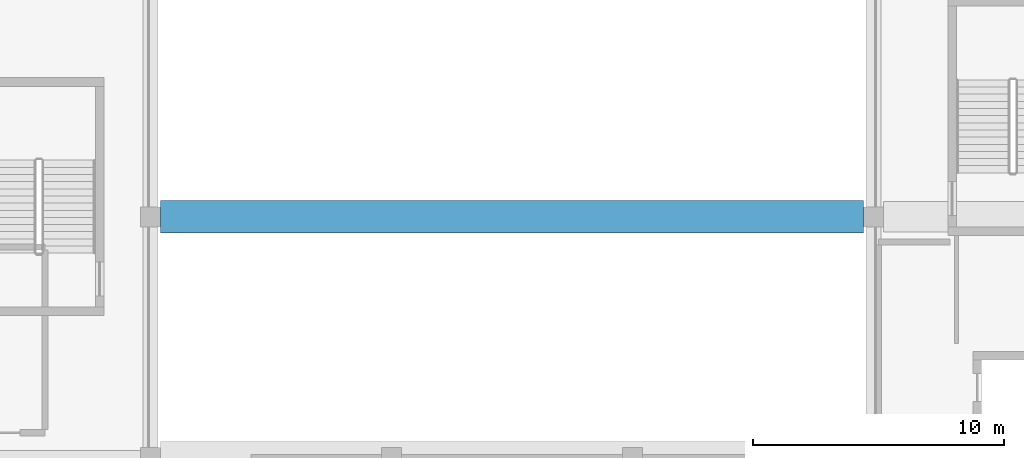
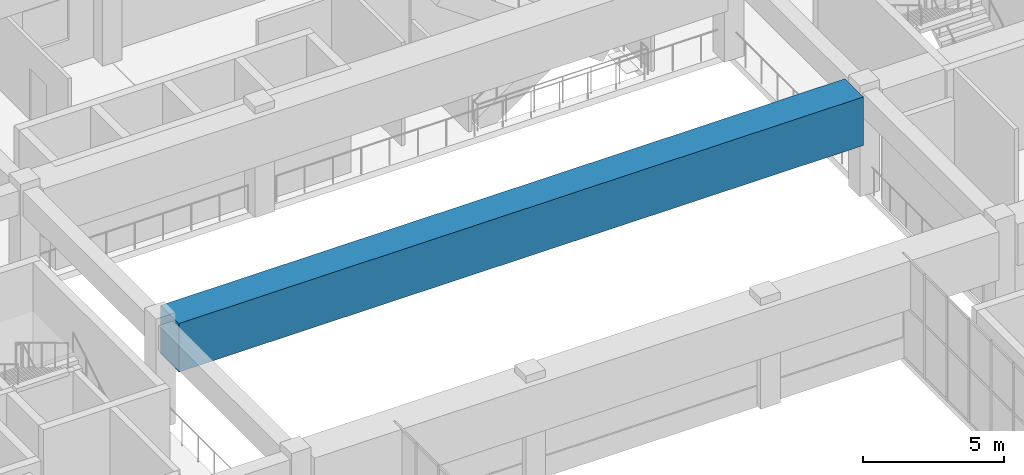
# One storey, part 6 of 33: 1 beam.
"""IFC4 building model written with IfcOpenShell, lengths in metres."""

from ifc_helpers import new_model, si_unit, direction, frame, origin, origin_2d, place, context, subcontext, project, spatial, rectangle, extrude, material, material_profile, profile_set, type_object, element, save


model = new_model("IFC4")

# Units and contexts
model_context = context("Model", 3, precision=1e-05, world=origin(), true_north=direction((0.0, 1.0)))
body_context = subcontext(model_context, "Body", "Model", "MODEL_VIEW")
ifc_project = project(units=[si_unit("LENGTHUNIT", "METRE"), si_unit("AREAUNIT", "SQUARE_METRE"), si_unit("VOLUMEUNIT", "CUBIC_METRE"), si_unit("PLANEANGLEUNIT", "RADIAN"), si_unit("MASSUNIT", "GRAM", prefix="KILO")], contexts=[model_context])

# Site, building, storey
site_placement = place(None, origin())
site = spatial("IfcSite", under=ifc_project, at=site_placement, CompositionType="ELEMENT")
building_placement = place(site_placement, origin())
building = spatial("IfcBuilding", under=site, at=building_placement, Name="Cendralis Terraced Arcade", CompositionType="ELEMENT")
storey_placement = place(building_placement, frame((0.0, 0.0, 19.800048828125)))
storey = spatial("IfcBuildingStorey", under=building, at=storey_placement, Name="L04", CompositionType="ELEMENT", Elevation=19.800048828125)

# Beam
ifc_material = material(Name="Concrete f'c 42 MPa", Category="concrete")
ifc_material_profile = material_profile(ifc_material, rectangle(XDim=1.300048828125, YDim=2.10009765625, at=origin_2d()), Name="RC-TG-1300x2100", Category="LoadBearing")
ifc_profile_set = profile_set([ifc_material_profile], Name="Concrete f'c 42 MPa")
beam_type = type_object("IfcBeamType", Name="BM-TG-1300x2100", PredefinedType="USERDEFINED", material=ifc_profile_set)
beam_placement = place(storey_placement, frame((19.60009765625, 28.800048828125, 3.429931640625), z_axis=(1.0, 0.0, 0.0), x_axis=(0.0, 1.0, 0.0)))
element("IfcBeam", 1, at=beam_placement, inside=storey, type_object=beam_type, Name="Atrium Bridge Transfer Girder TG-ATR-L05-D", ObjectType="TRANSFER GIRDER", PredefinedType="USERDEFINED", context=body_context, shape_type="SweptSolid", body=[
    extrude(rectangle(XDim=1.300048828125, YDim=2.10009765625, at=origin_2d()), origin(), (0.0, 0.0, 1.0), 28.0),
])

save(model, "model.ifc")
